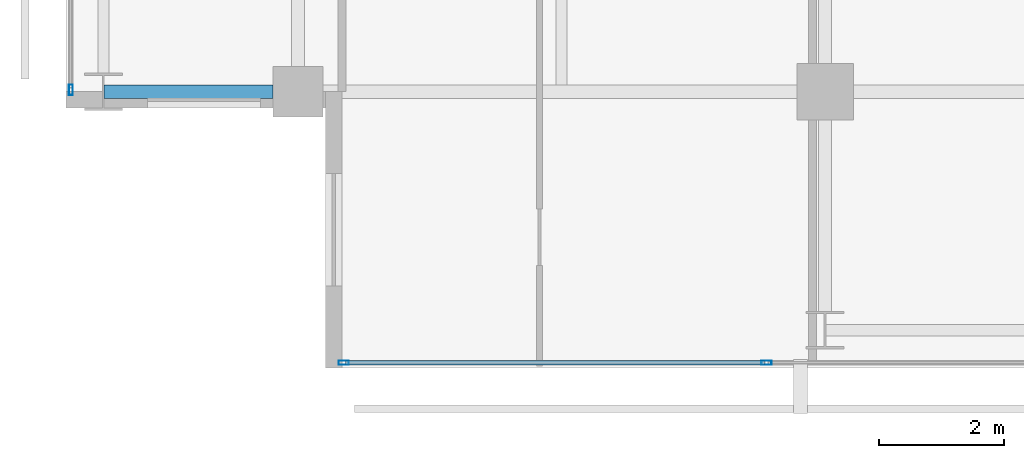
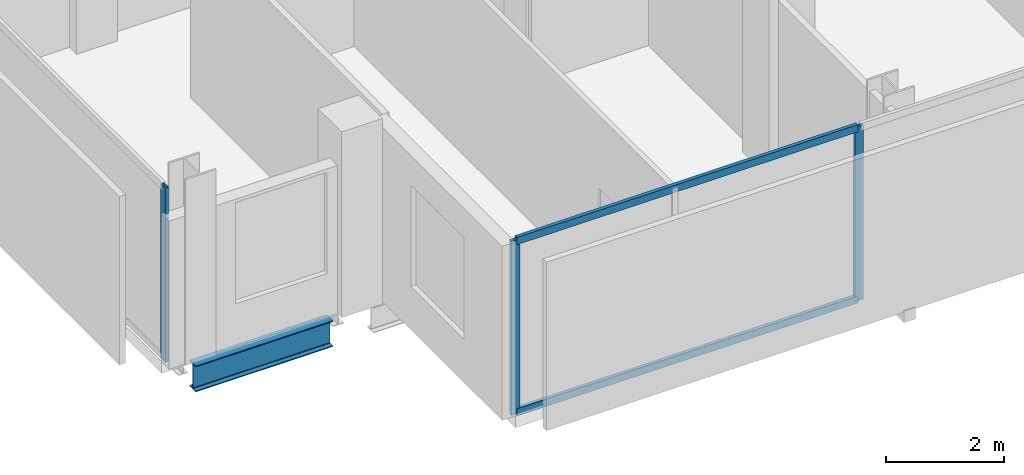
# One storey, part 2 of 34: 5 members, 1 beam, 2 elements without a shape of their own.
"""IFC4 building model written with IfcOpenShell, lengths in metres."""

from ifc_helpers import new_model, si_unit, direction, frame, origin, origin_2d, place, context, subcontext, project, spatial, hollow_rectangle, i_section, extrude, material, layer, layer_set, material_profile, profile_set, type_object, element, aggregate, save


model = new_model("IFC4")

# Units and contexts
model_context = context("Model", 3, precision=1e-05, world=origin(), true_north=direction((0.0, 1.0)))
body_context = subcontext(model_context, "Body", "Model", "MODEL_VIEW")
ifc_project = project(units=[si_unit("LENGTHUNIT", "METRE"), si_unit("AREAUNIT", "SQUARE_METRE"), si_unit("VOLUMEUNIT", "CUBIC_METRE"), si_unit("PLANEANGLEUNIT", "RADIAN"), si_unit("MASSUNIT", "GRAM", prefix="KILO")], contexts=[model_context])

# Site, building, storey
site_placement = place(None, origin())
site = spatial("IfcSite", under=ifc_project, at=site_placement, CompositionType="ELEMENT")
building_placement = place(site_placement, origin())
building = spatial("IfcBuilding", under=site, at=building_placement, Name="Maruvema Waterfront Hotel and Observation Tower", CompositionType="ELEMENT")
storey_placement = place(building_placement, frame((0.0, 0.0, 208.25)))
storey = spatial("IfcBuildingStorey", under=building, at=storey_placement, Name="L51", CompositionType="ELEMENT", Elevation=208.25)

# Curtain wall, members
ifc_material_1 = material(Name="Anodised bronze aluminium and solar-control low-E IGU", Category="aluminium")
ifc_layer = layer(ifc_material_1, 0.159912109375, Name="Zone 2 Amber Inner Thermal Curtain Wall System CW-03")
ifc_layer_set = layer_set([ifc_layer], Name="Anodised bronze aluminium and solar-control low-E IGU")
curtain_wall_type = type_object("IfcCurtainWallType", Name="Zone 2 Amber Inner Thermal Curtain Wall System CW-03", PredefinedType="USERDEFINED", material=ifc_layer_set)
curtain_wall_1_placement = place(storey_placement, origin())
curtain_wall_1 = element("IfcCurtainWall", 1, at=curtain_wall_1_placement, inside=storey, type_object=curtain_wall_type, Name="L51 Curtain Wall CW-L51-S", ObjectType="UNITISED CURTAIN WALL", PredefinedType="USERDEFINED")
ifc_material_2 = material(Name="Anodised architectural bronze aluminium", Category="aluminium")
ifc_material_profile_1 = material_profile(ifc_material_2, hollow_rectangle(XDim=0.070068359375, YDim=0.14990234375, WallThickness=0.00390625, at=origin_2d()), Name="ALU-T70x150")
ifc_profile_set_1 = profile_set([ifc_material_profile_1], Name="Anodised architectural bronze aluminium")
member_type_1 = type_object("IfcMemberType", Name="Curtain Wall Horizontal Transom ALU-T70x150", PredefinedType="USERDEFINED", material=ifc_profile_set_1)
member_1_placement = place(storey_placement, frame((17.56005859375, 4.679931640625, 0.030029296875), z_axis=(1.0, 0.0, 0.0), x_axis=(0.0, 1.0, 0.0)))
member_1 = element("IfcMember", 2, at=member_1_placement, type_object=member_type_1, Name="CW-03 transom 1.1", ObjectType="TRANSOM", PredefinedType="USERDEFINED", context=body_context, shape_type="SweptSolid", body=[
    extrude(hollow_rectangle(XDim=0.070068359375, YDim=0.14990234375, WallThickness=0.00390625, at=origin_2d()), origin(), (0.0, 0.0, 1.0), 6.676513671875),
])
member_2_placement = place(storey_placement, frame((17.56005859375, 4.679931640625, 3.580078125), z_axis=(1.0, 0.0, 0.0), x_axis=(0.0, 1.0, 0.0)))
member_2 = element("IfcMember", 3, at=member_2_placement, type_object=member_type_1, Name="CW-03 transom 1.2", ObjectType="TRANSOM", PredefinedType="USERDEFINED", context=body_context, shape_type="SweptSolid", body=[
    extrude(hollow_rectangle(XDim=0.070068359375, YDim=0.14990234375, WallThickness=0.00390625, at=origin_2d()), origin(), (0.0, 0.0, 1.0), 6.676513671875),
])
ifc_material_3 = material(Name="Anodised architectural bronze aluminium", Category="aluminium")
ifc_material_profile_2 = material_profile(ifc_material_3, hollow_rectangle(XDim=0.06494140625, YDim=0.1650390625, WallThickness=0.00390625, at=origin_2d()), Name="ALU-M65x165")
ifc_profile_set_2 = profile_set([ifc_material_profile_2], Name="Anodised architectural bronze aluminium")
member_type_2 = type_object("IfcMemberType", Name="Curtain Wall Primary Mullion ALU-M65x165", PredefinedType="MULLION", material=ifc_profile_set_2)
member_3_placement = place(storey_placement, frame((17.530029296875, 4.679931640625, 0.0), z_axis=(0.0, 0.0, 1.0), x_axis=(0.0, 1.0, 0.0)))
member_3 = element("IfcMember", 4, at=member_3_placement, type_object=member_type_2, Name="CW-03 mullion 1", PredefinedType="MULLION", context=body_context, shape_type="SweptSolid", body=[
    extrude(hollow_rectangle(XDim=0.06494140625, YDim=0.1650390625, WallThickness=0.00390625, at=origin_2d()), origin(), (0.0, 0.0, 1.0), 3.610107421875),
])
member_4_placement = place(storey_placement, frame((24.2666015625, 4.679931640625, 0.0), z_axis=(0.0, 0.0, 1.0), x_axis=(0.0, 1.0, 0.0)))
member_4 = element("IfcMember", 5, at=member_4_placement, type_object=member_type_2, Name="CW-03 mullion 2", PredefinedType="MULLION", context=body_context, shape_type="SweptSolid", body=[
    extrude(hollow_rectangle(XDim=0.06494140625, YDim=0.1650390625, WallThickness=0.00390625, at=origin_2d()), origin(), (0.0, 0.0, 1.0), 3.610107421875),
])
aggregate(curtain_wall_1, [member_3, member_4, member_1, member_2])

# Curtain wall, member
curtain_wall_2_placement = place(storey_placement, origin())
curtain_wall_2 = element("IfcCurtainWall", 6, at=curtain_wall_2_placement, inside=storey, type_object=curtain_wall_type, Name="L51 Curtain Wall CW-L51-W", ObjectType="UNITISED CURTAIN WALL", PredefinedType="USERDEFINED")
member_5_placement = place(storey_placement, frame((13.179931640625, 9.030029296875, 0.0), z_axis=(0.0, 0.0, 1.0), x_axis=(1.0, 0.0, 0.0)))
member_5 = element("IfcMember", 7, at=member_5_placement, type_object=member_type_2, Name="CW-03 mullion 7", PredefinedType="MULLION", context=body_context, shape_type="SweptSolid", body=[
    extrude(hollow_rectangle(XDim=0.06494140625, YDim=0.1650390625, WallThickness=0.00390625, at=origin_2d()), origin(), (0.0, 0.0, 1.0), 3.610107421875),
])
aggregate(curtain_wall_2, [member_5])

# Beam
ifc_material_4 = material(Name="Steel ASTM A572 Grade 50", Category="steel")
ifc_material_profile_3 = material_profile(ifc_material_4, i_section(OverallWidth=0.2109375, OverallDepth=0.5390625, WebThickness=0.01171875, FlangeThickness=0.018798828125, FilletRadius=0.014892578125, at=origin_2d()), Name="W530x109.0")
ifc_profile_set_3 = profile_set([ifc_material_profile_3], Name="Steel ASTM A572 Grade 50")
beam_type = type_object("IfcBeamType", Name="Primary Floor Girder W530x109.0", PredefinedType="BEAM", material=ifc_profile_set_3)
beam_placement = place(storey_placement, frame((13.71240234375, 9.0, -0.509521484375), z_axis=(1.0, 0.0, 0.0), x_axis=(0.0, 1.0, 0.0)))
element("IfcBeam", 8, at=beam_placement, inside=storey, type_object=beam_type, Name="L51 Floor Girder EW-04", PredefinedType="BEAM", context=body_context, shape_type="SweptSolid", body=[
    extrude(i_section(OverallWidth=0.2109375, OverallDepth=0.5390625, WebThickness=0.01171875, FlangeThickness=0.018798828125, FilletRadius=0.014892578125, at=origin_2d()), origin(), (0.0, 0.0, 1.0), 2.6875),
])

save(model, "model.ifc")
